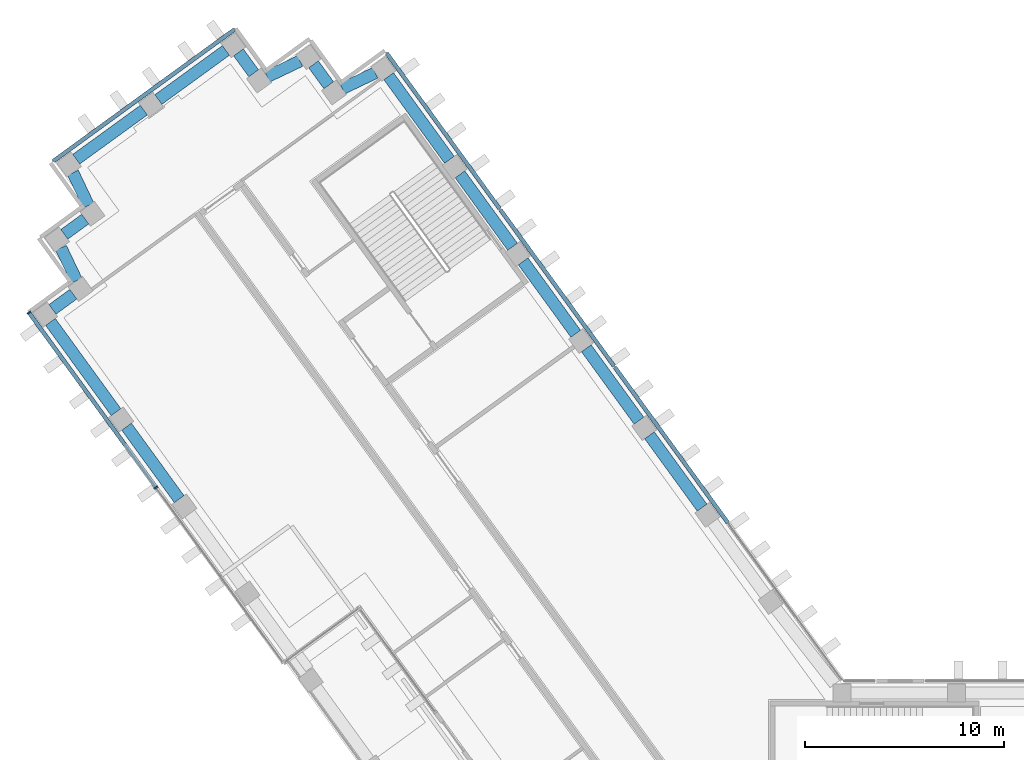
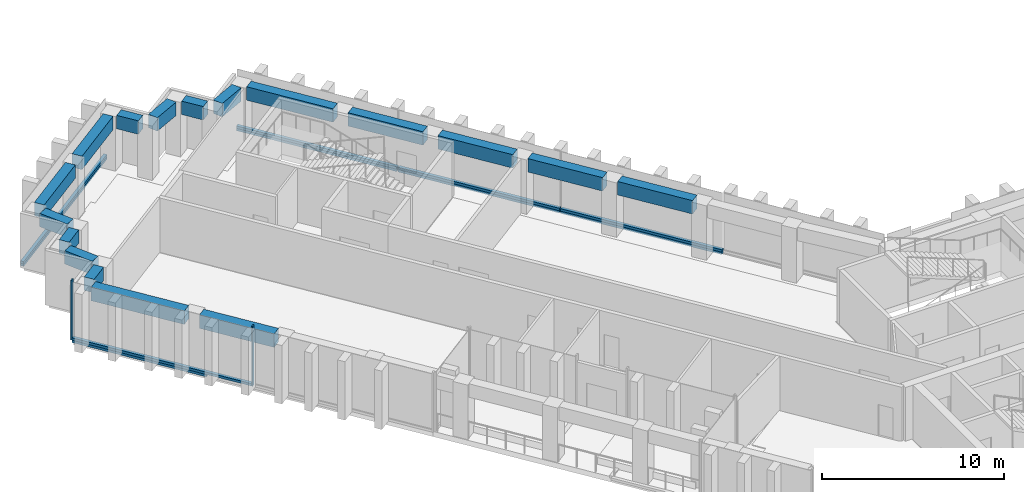
"""IFC4 building model written with IfcOpenShell, lengths in metres."""

import ifcopenshell
import ifcopenshell.guid

model = None  # the IFC model being written
_history = None  # IfcOwnerHistory: only IFC2X3 demands one
_inside = {}  # id of a spatial element -> (the spatial element, [elements in it])
_under = {}  # id of a project, library or spatial element -> (it, [spatial elements below it])
_declared = {}  # id of a project -> (the project, [libraries it declares])
_typed = {}  # id of a type object -> (the type object, [elements of that type])
_made_of = {}  # id of a material, layer set ... -> (it, [elements and type objects made of it])


def new_model(schema):
    """Start an empty IFC model of exactly this schema.

    Asked for "IFC4X3", IfcOpenShell would pick the latest addendum, in which some entities
    have other attributes; the version numbers below select the first issue.
    IFC2X3 requires an IfcOwnerHistory on every rooted entity: one is made here for all.
    """
    global model, _history
    if schema == "IFC4X3":
        model = ifcopenshell.file(schema_version=(4, 3, 0, 0))
    else:
        model = ifcopenshell.file(schema=schema)
    _inside.clear()
    _under.clear()
    _declared.clear()
    _typed.clear()
    _made_of.clear()
    _history = None
    if model.schema == "IFC2X3":
        org = make("IfcOrganization", Name="unknown")
        user = make(
            "IfcPersonAndOrganization",
            ThePerson=make("IfcPerson", FamilyName="unknown"),
            TheOrganization=org,
        )
        app = make(
            "IfcApplication",
            ApplicationDeveloper=org,
            Version="unknown",
            ApplicationFullName="unknown",
            ApplicationIdentifier="unknown",
        )
        _history = make(
            "IfcOwnerHistory",
            OwningUser=user,
            OwningApplication=app,
            ChangeAction="ADDED",
            CreationDate=0,
        )
    return model


def make(cls, **values):
    """One entity of the class cls with the attributes given. An attribute that is None is left unset."""
    return model.create_entity(
        cls, **{name: value for name, value in values.items() if value is not None}
    )


def rooted(cls, **values):
    """An entity with a GlobalId (a new one), such as an element, a storey or a relation."""
    return make(cls, GlobalId=ifcopenshell.guid.new(), OwnerHistory=_history, **values)


def si_unit(unit_type, name, prefix=None):
    """IfcSIUnit, for example si_unit("LENGTHUNIT", "METRE", prefix="MILLI")."""
    return make("IfcSIUnit", UnitType=unit_type, Prefix=prefix, Name=name)


def assignment(units):
    """IfcUnitAssignment: the units of a project."""
    return None if units is None else make("IfcUnitAssignment", Units=units)


def point(xyz):
    """IfcCartesianPoint."""
    return None if xyz is None else make("IfcCartesianPoint", Coordinates=xyz)


def direction(xyz):
    """IfcDirection."""
    return None if xyz is None else make("IfcDirection", DirectionRatios=xyz)


def frame(location, z_axis=None, x_axis=None):
    """IfcAxis2Placement3D, a coordinate frame: its origin and axes. An axis left out is left unset."""
    return make(
        "IfcAxis2Placement3D",
        Location=point(location),
        Axis=direction(z_axis),
        RefDirection=direction(x_axis),
    )


def frame_2d(location, x_axis=None):
    """IfcAxis2Placement2D, a coordinate frame in the plane: its origin and x axis."""
    return make(
        "IfcAxis2Placement2D", Location=point(location), RefDirection=direction(x_axis)
    )


def origin():
    """The frame at (0, 0, 0) with its axes left unset."""
    return frame((0.0, 0.0, 0.0))


def origin_2d():
    """The frame at (0, 0) in the plane with its x axis left unset."""
    return frame_2d((0.0, 0.0))


def place(relative_to, where):
    """IfcLocalPlacement: puts the frame where relative to a parent placement (None: the world)."""
    return make(
        "IfcLocalPlacement", PlacementRelTo=relative_to, RelativePlacement=where
    )


def context(
    kind, dimensions, precision=None, world=None, true_north=None, identifier=None
):
    """IfcGeometricRepresentationContext, for example the 3D "Model" context."""
    return make(
        "IfcGeometricRepresentationContext",
        ContextIdentifier=identifier,
        ContextType=kind,
        CoordinateSpaceDimension=dimensions,
        Precision=precision,
        WorldCoordinateSystem=world,
        TrueNorth=true_north,
    )


def subcontext(parent, identifier, kind, view, scale=None):
    """IfcGeometricRepresentationSubContext, for example "Body" below "Model"."""
    return make(
        "IfcGeometricRepresentationSubContext",
        ContextIdentifier=identifier,
        ContextType=kind,
        ParentContext=parent,
        TargetScale=scale,
        TargetView=view,
    )


def project(units=None, contexts=None):
    """IfcProject with its units and contexts."""
    return rooted(
        "IfcProject",
        Name="project",
        RepresentationContexts=contexts,
        UnitsInContext=assignment(units),
    )


def spatial(cls, under=None, at=None, **own):
    """A site, building, storey or space (cls), placed at a placement, below another one or the project."""
    s = rooted(cls, ObjectPlacement=at, **own)
    if under is not None:
        _under.setdefault(under.id(), (under, []))[1].append(s)
    return s


def profile(cls, at=None, kind="AREA", **sizes):
    """A parametric profile (cls). Its sizes go by their IFC names, for example OverallWidth=200.0."""
    return make(cls, ProfileType=kind, Position=at, **sizes)


def rectangle(**sizes):
    """IfcRectangleProfileDef."""
    return profile("IfcRectangleProfileDef", **sizes)


def extrude(swept, where, along, depth):
    """IfcExtrudedAreaSolid: the profile swept, set in the frame where, extruded along a direction by depth."""
    return make(
        "IfcExtrudedAreaSolid",
        SweptArea=swept,
        Position=where,
        ExtrudedDirection=direction(along),
        Depth=depth,
    )


def shape(context_of_items, identifier, shape_type, items):
    """IfcShapeRepresentation: the items that make up one representation, for example the "Body"."""
    return make(
        "IfcShapeRepresentation",
        ContextOfItems=context_of_items,
        RepresentationIdentifier=identifier,
        RepresentationType=shape_type,
        Items=items,
    )


def material(Name=None, Category=None):
    """IfcMaterial."""
    return make("IfcMaterial", Name=Name, Category=Category)


def material_profile(
    of_material, cross_section, Name=None, Category=None, Priority=None
):
    """IfcMaterialProfile: a cross section and its material."""
    return make(
        "IfcMaterialProfile",
        Name=Name,
        Material=of_material,
        Profile=cross_section,
        Priority=Priority,
        Category=Category,
    )


def profile_set(profiles, Name=None, composite=None):
    """IfcMaterialProfileSet."""
    return make(
        "IfcMaterialProfileSet",
        Name=Name,
        MaterialProfiles=profiles,
        CompositeProfile=composite,
    )


def made_of(thing, what):
    """Note that an element or type object is made of a material, layer set ...; save() writes the relation."""
    if what is not None:
        _made_of.setdefault(what.id(), (what, []))[1].append(thing)
    return thing


def type_object(cls, material=None, **own):
    """A type object (cls), such as IfcWallType, which elements share."""
    return made_of(rooted(cls, **own), material)


def element(
    cls,
    number,
    at=None,
    inside=None,
    cuts=None,
    type_object=None,
    material=None,
    context=None,
    identifier="Body",
    shape_type=None,
    held_by="IfcProductDefinitionShape",
    body=None,
    shapes=None,
    **own,
):
    """One element of the class cls, such as IfcWall. Its Tag is "e" and its number.

    at: its placement. inside: the storey or other place that contains it. cuts: it is an
    opening in that element (IfcRelVoidsElement). A single representation is given by context,
    identifier, shape_type and body (its items); several are given by shapes. held_by: the class
    of the entity that holds the representations. save() writes the other relations.
    """
    e = rooted(cls, Tag="e%d" % number, ObjectPlacement=at, **own)
    if body is not None:
        shapes = [shape(context, identifier, shape_type, body)]
    if shapes is not None:
        e.Representation = make(held_by, Representations=shapes)
    if inside is not None:
        _inside.setdefault(inside.id(), (inside, []))[1].append(e)
    if cuts is not None:
        rooted(
            "IfcRelVoidsElement", RelatingBuildingElement=cuts, RelatedOpeningElement=e
        )
    if type_object is not None:
        _typed.setdefault(type_object.id(), (type_object, []))[1].append(e)
    return made_of(e, material)


def aggregate(whole, parts):
    """IfcRelAggregates: a whole, such as a stair, and the parts it consists of."""
    return rooted("IfcRelAggregates", RelatingObject=whole, RelatedObjects=parts)


def save(model, path):
    """Write the relations noted so far, then the file.

    IfcRelAggregates (storeys below a building ...), IfcRelContainedInSpatialStructure (elements
    in a storey), IfcRelDefinesByType, IfcRelAssociatesMaterial and IfcRelDeclares: one each for
    every whole, place, type object, material and project.
    """
    for whole, parts in _under.values():
        aggregate(whole, parts)
    for where, things in _inside.values():
        rooted(
            "IfcRelContainedInSpatialStructure",
            RelatedElements=things,
            RelatingStructure=where,
        )
    for kind, things in _typed.values():
        rooted("IfcRelDefinesByType", RelatedObjects=things, RelatingType=kind)
    for what, things in _made_of.values():
        rooted("IfcRelAssociatesMaterial", RelatedObjects=things, RelatingMaterial=what)
    for by, libraries in _declared.values():
        rooted("IfcRelDeclares", RelatingContext=by, RelatedDefinitions=libraries)
    model.write(path)


model = new_model("IFC4")

# Units and contexts
model_context = context("Model", 3, precision=1e-05, world=origin(), true_north=direction((0.0, 1.0)))
body_context = subcontext(model_context, "Body", "Model", "MODEL_VIEW")
ifc_project = project(units=[si_unit("LENGTHUNIT", "METRE"), si_unit("AREAUNIT", "SQUARE_METRE"), si_unit("VOLUMEUNIT", "CUBIC_METRE"), si_unit("PLANEANGLEUNIT", "RADIAN"), si_unit("MASSUNIT", "GRAM", prefix="KILO")], contexts=[model_context])

# Site, building, storey
site_placement = place(None, origin())
site = spatial("IfcSite", under=ifc_project, at=site_placement, CompositionType="ELEMENT")
building_placement = place(site_placement, origin())
building = spatial("IfcBuilding", under=site, at=building_placement, Name="Quipu Civic Tower", CompositionType="ELEMENT")
storey_1_placement = place(building_placement, frame((0.0, 0.0, 55.0)))
storey_1 = spatial("IfcBuildingStorey", under=building, at=storey_1_placement, Name="L12", CompositionType="ELEMENT", Elevation=55.0)

# Curtain wall, members
ifc_material_1 = material(Name="Insulated glass unit", Category="glass")
curtain_wall_type = type_object("IfcCurtainWallType", Name="Office curtain wall CW1", PredefinedType="NOTDEFINED", material=ifc_material_1)
curtain_wall_1_placement = place(storey_1_placement, origin())
curtain_wall_1 = element("IfcCurtainWall", 1, at=curtain_wall_1_placement, inside=storey_1, type_object=curtain_wall_type, Name="Office curtain wall CW1 L12 run 1", PredefinedType="NOTDEFINED")
ifc_material_2 = material(Name="Anodised aluminium", Category="aluminium")
ifc_material_profile_1 = material_profile(ifc_material_2, rectangle(XDim=0.199951171875, YDim=0.080078125, at=origin_2d()), Name="RECT 200x80")
ifc_profile_set_1 = profile_set([ifc_material_profile_1], Name="Anodised aluminium")
member_type_1 = type_object("IfcMemberType", Name="Mullion CW1", PredefinedType="MULLION", material=ifc_profile_set_1)
member_1_placement = place(storey_1_placement, frame((-55.23046875, 29.606201171875, 0.080078125), z_axis=(0.0, 0.0, 1.0), x_axis=(0.809014099643, 0.587789236529, 0.0)))
member_1 = element("IfcMember", 2, at=member_1_placement, type_object=member_type_1, Name="CW1 mullion 1", PredefinedType="MULLION", context=body_context, shape_type="SweptSolid", body=[
    extrude(rectangle(XDim=0.199951171875, YDim=0.080078125, at=origin_2d()), origin(), (0.0, 0.0, 1.0), 4.0),
])
member_2_placement = place(storey_1_placement, frame((-48.84716796875, 20.8203125, 0.080078125), z_axis=(0.0, 0.0, 1.0), x_axis=(0.809014099643, 0.587789236529, 0.0)))
member_2 = element("IfcMember", 3, at=member_2_placement, type_object=member_type_1, Name="CW1 mullion 2", PredefinedType="MULLION", context=body_context, shape_type="SweptSolid", body=[
    extrude(rectangle(XDim=0.199951171875, YDim=0.080078125, at=origin_2d()), origin(), (0.0, 0.0, 1.0), 4.0),
])

# Beams
ifc_material_3 = material(Name="Concrete C50/60", Category="concrete")
ifc_material_profile_2 = material_profile(ifc_material_3, rectangle(XDim=0.60009765625, YDim=0.89990234375, at=origin_2d()), Name="RC600x900")
ifc_profile_set_2 = profile_set([ifc_material_profile_2], Name="Concrete C50/60")
beam_type = type_object("IfcBeamType", Name="Spandrel beam RC 600x900 C50/60", PredefinedType="SPANDREL", material=ifc_profile_set_2)
for number, where, z_axis, x_axis, name in (
    (4, (-21.411865234375, 19.807861328125, 3.199951171875), (-0.587778073121, 0.809022210299, 0.0), (-0.809022210299, -0.587778073121, 0.0), "Spandrel beam L12 W-IN-02 to W-IN-03"),
    (5, (-24.585693359375, 24.1767578125, 3.199951171875), (-0.587778073121, 0.809022210299, 0.0), (-0.809022210299, -0.587778073121, 0.0), "Spandrel beam L12 W-IN-03 to W-IN-04"),
    (6, (-27.759765625, 28.545654296875, 3.199951171875), (-0.587742561851, 0.809048009076, 0.0), (-0.809048009076, -0.587742561851, 0.0), "Spandrel beam L12 W-IN-04 to W-IN-05"),
    (7, (-30.93359375, 32.914306640625, 3.199951171875), (-0.587716763865, 0.809066749701, 0.0), (-0.809066749701, -0.587716763865, 0.0), "Spandrel beam L12 W-IN-05 to W-IN-06"),
):
    element("IfcBeam", number, at=place(storey_1_placement, frame(where, z_axis=z_axis, x_axis=x_axis)), inside=storey_1, type_object=beam_type, Name=name, PredefinedType="SPANDREL", context=body_context, shape_type="SweptSolid", body=[
        extrude(rectangle(XDim=0.60009765625, YDim=0.89990234375, at=origin_2d()), origin(), (0.0, 0.0, 1.0), 4.5),
    ])
beam_1_placement = place(storey_1_placement, frame((-34.107421875, 37.283203125, 3.199951171875), z_axis=(-0.587732861365, 0.80905505602, 0.0), x_axis=(-0.80905505602, -0.587732861365, 0.0)))
element("IfcBeam", 8, at=beam_1_placement, inside=storey_1, type_object=beam_type, Name="Spandrel beam L12 W-IN-06 to T-Wi.0-W50", PredefinedType="SPANDREL", context=body_context, shape_type="SweptSolid", body=[
    extrude(rectangle(XDim=0.60009765625, YDim=0.89990234375, at=origin_2d()), origin(), (0.0, 0.0, 1.0), 5.194580078125),
])
beam_2_placement = place(storey_1_placement, frame((-37.837890625, 41.65283203125, 3.199951171875), z_axis=(-0.90245397739, -0.430786279601, 0.0), x_axis=(0.430786279601, -0.90245397739, 0.0)))
element("IfcBeam", 9, at=beam_2_placement, inside=storey_1, type_object=beam_type, Name="Spandrel beam L12 T-Wi.0-W50 to T-Wi.1-W50", PredefinedType="SPANDREL", context=body_context, shape_type="SweptSolid", body=[
    extrude(rectangle(XDim=0.60009765625, YDim=0.89990234375, at=origin_2d()), origin(), (0.0, 0.0, 1.0), 1.83349609375),
])
beam_3_placement = place(storey_1_placement, frame((-40.170166015625, 41.02978515625, 3.199951171875), z_axis=(-0.588461937499, 0.808524921146, 0.0), x_axis=(-0.808524921146, -0.588461937499, 0.0)))
element("IfcBeam", 10, at=beam_3_placement, inside=storey_1, type_object=beam_type, Name="Spandrel beam L12 T-Wi.1-W50 to T-Wi.2-W50", PredefinedType="SPANDREL", context=body_context, shape_type="SweptSolid", body=[
    extrude(rectangle(XDim=0.60009765625, YDim=0.89990234375, at=origin_2d()), origin(), (0.0, 0.0, 1.0), 1.30029296875),
])
beam_4_placement = place(storey_1_placement, frame((-41.613037109375, 42.248046875, 3.199951171875), z_axis=(-0.902613270121, -0.430452418511, 0.0), x_axis=(0.430452418511, -0.902613270121, 0.0)))
element("IfcBeam", 11, at=beam_4_placement, inside=storey_1, type_object=beam_type, Name="Spandrel beam L12 T-Wi.2-W50 to T-Wi.3-W50", PredefinedType="SPANDREL", context=body_context, shape_type="SweptSolid", body=[
    extrude(rectangle(XDim=0.60009765625, YDim=0.89990234375, at=origin_2d()), origin(), (0.0, 0.0, 1.0), 1.826416015625),
])
beam_5_placement = place(storey_1_placement, frame((-43.939453125, 41.628662109375, 3.199951171875), z_axis=(-0.588383572423, 0.808581951136, 0.0), x_axis=(-0.808581951136, -0.588383572423, 0.0)))
element("IfcBeam", 12, at=beam_5_placement, inside=storey_1, type_object=beam_type, Name="Spandrel beam L12 T-Wi.3-W50 to T-Wi.4-W50", PredefinedType="SPANDREL", context=body_context, shape_type="SweptSolid", body=[
    extrude(rectangle(XDim=0.60009765625, YDim=0.89990234375, at=origin_2d()), origin(), (0.0, 0.0, 1.0), 1.3017578125),
])
beam_6_placement = place(storey_1_placement, frame((-45.333984375, 42.780517578125, 3.199951171875), z_axis=(-0.808969789945, -0.58785021813, 0.0), x_axis=(0.58785021813, -0.808969789945, 0.0)))
element("IfcBeam", 13, at=beam_6_placement, inside=storey_1, type_object=beam_type, Name="Spandrel beam L12 T-Wi.4-W50 to TIP-W-01-W50", PredefinedType="SPANDREL", context=body_context, shape_type="SweptSolid", body=[
    extrude(rectangle(XDim=0.60009765625, YDim=0.89990234375, at=origin_2d()), origin(), (0.0, 0.0, 1.0), 4.199951171875),
])
beam_7_placement = place(storey_1_placement, frame((-49.459716796875, 39.782470703125, 3.199951171875), z_axis=(-0.808959834407, -0.587863918196, 0.0), x_axis=(0.587863918196, -0.808959834407, 0.0)))
element("IfcBeam", 14, at=beam_7_placement, inside=storey_1, type_object=beam_type, Name="Spandrel beam L12 TIP-W-01-W50 to T-Wo.0-W50", PredefinedType="SPANDREL", context=body_context, shape_type="SweptSolid", body=[
    extrude(rectangle(XDim=0.60009765625, YDim=0.89990234375, at=origin_2d()), origin(), (0.0, 0.0, 1.0), 4.1982421875),
])
beam_8_placement = place(storey_1_placement, frame((-53.023193359375, 36.63671875, 3.199951171875), z_axis=(0.430166558323, -0.902749540072, 0.0), x_axis=(0.902749540072, 0.430166558323, 0.0)))
element("IfcBeam", 15, at=beam_8_placement, inside=storey_1, type_object=beam_type, Name="Spandrel beam L12 T-Wo.0-W50 to T-Wo.1-W50", PredefinedType="SPANDREL", context=body_context, shape_type="SweptSolid", body=[
    extrude(rectangle(XDim=0.60009765625, YDim=0.89990234375, at=origin_2d()), origin(), (0.0, 0.0, 1.0), 1.830322265625),
])
beam_9_placement = place(storey_1_placement, frame((-52.40283203125, 34.306396484375, 3.199951171875), z_axis=(-0.808509099783, -0.588483674853, 0.0), x_axis=(0.588483674853, -0.808509099783, 0.0)))
element("IfcBeam", 16, at=beam_9_placement, inside=storey_1, type_object=beam_type, Name="Spandrel beam L12 T-Wo.1-W50 to T-Wo.2-W50", PredefinedType="SPANDREL", context=body_context, shape_type="SweptSolid", body=[
    extrude(rectangle(XDim=0.60009765625, YDim=0.89990234375, at=origin_2d()), origin(), (0.0, 0.0, 1.0), 1.302734375),
])
beam_10_placement = place(storey_1_placement, frame((-53.62255859375, 32.8623046875, 3.199951171875), z_axis=(0.431446050156, -0.902138739776, 0.0), x_axis=(0.902138739776, 0.431446050156, 0.0)))
element("IfcBeam", 17, at=beam_10_placement, inside=storey_1, type_object=beam_type, Name="Spandrel beam L12 T-Wo.2-W50 to T-Wo.3-W50", PredefinedType="SPANDREL", context=body_context, shape_type="SweptSolid", body=[
    extrude(rectangle(XDim=0.60009765625, YDim=0.89990234375, at=origin_2d()), origin(), (0.0, 0.0, 1.0), 1.828857421875),
])
beam_11_placement = place(storey_1_placement, frame((-53.0, 30.53466796875, 3.199951171875), z_axis=(-0.808549242423, -0.588428519514, 0.0), x_axis=(0.588428519514, -0.808549242423, 0.0)))
element("IfcBeam", 18, at=beam_11_placement, inside=storey_1, type_object=beam_type, Name="Spandrel beam L12 T-Wo.3-W50 to T-Wo.4-W50", PredefinedType="SPANDREL", context=body_context, shape_type="SweptSolid", body=[
    extrude(rectangle(XDim=0.60009765625, YDim=0.89990234375, at=origin_2d()), origin(), (0.0, 0.0, 1.0), 1.2998046875),
])
beam_12_placement = place(storey_1_placement, frame((-54.150390625, 29.140869140625, 3.199951171875), z_axis=(0.587772657145, -0.809026145135, 0.0), x_axis=(0.809026145135, 0.587772657145, 0.0)))
element("IfcBeam", 19, at=beam_12_placement, inside=storey_1, type_object=beam_type, Name="Spandrel beam L12 T-Wo.4-W50 to W-OUT-07", PredefinedType="SPANDREL", context=body_context, shape_type="SweptSolid", body=[
    extrude(rectangle(XDim=0.60009765625, YDim=0.89990234375, at=origin_2d()), origin(), (0.0, 0.0, 1.0), 5.603271484375),
])
beam_13_placement = place(storey_1_placement, frame((-50.327880859375, 23.87939453125, 3.199951171875), z_axis=(0.587778073121, -0.809022210299, 0.0), x_axis=(0.809022210299, 0.587778073121, 0.0)))
element("IfcBeam", 20, at=beam_13_placement, inside=storey_1, type_object=beam_type, Name="Spandrel beam L12 W-OUT-07 to W-OUT-06", PredefinedType="SPANDREL", context=body_context, shape_type="SweptSolid", body=[
    extrude(rectangle(XDim=0.60009765625, YDim=0.89990234375, at=origin_2d()), origin(), (0.0, 0.0, 1.0), 4.5),
])

# Storey
storey_2_placement = place(building_placement, frame((0.0, 0.0, 47.0)))
storey_2 = spatial("IfcBuildingStorey", under=building, at=storey_2_placement, Name="L10", CompositionType="ELEMENT", Elevation=47.0)

# Curtain wall, members
curtain_wall_2_placement = place(storey_2_placement, origin())
curtain_wall_2 = element("IfcCurtainWall", 21, at=curtain_wall_2_placement, inside=storey_2, type_object=curtain_wall_type, Name="Office curtain wall CW1 L09 run 35", PredefinedType="NOTDEFINED")
ifc_material_4 = material(Name="Anodised aluminium", Category="aluminium")
ifc_material_profile_3 = material_profile(ifc_material_4, rectangle(XDim=0.199951171875, YDim=0.159912109375, at=origin_2d()), Name="RECT 200x160")
ifc_profile_set_3 = profile_set([ifc_material_profile_3], Name="Anodised aluminium")
member_type_2 = type_object("IfcMemberType", Name="Transom CW1", PredefinedType="USERDEFINED", material=ifc_profile_set_3)
member_3_placement = place(storey_1_placement, frame((-20.105224609375, 19.029296875, 0.0), z_axis=(-0.587793764301, 0.80901080997, 0.0), x_axis=(-0.80901080997, -0.587793764301, 0.0)))
member_3 = element("IfcMember", 22, at=member_3_placement, inside=storey_1, type_object=member_type_2, Name="CW1 transom 2.4", ObjectType="TRANSOM", PredefinedType="USERDEFINED", context=body_context, shape_type="SweptSolid", body=[
    extrude(rectangle(XDim=0.199951171875, YDim=0.159912109375, at=origin_2d()), origin(), (0.0, 0.0, 1.0), 9.680908203125),
])
member_4_placement = place(storey_1_placement, frame((-25.842529296875, 26.926025390625, 0.0), z_axis=(-0.58778177227, 0.809019522748, 0.0), x_axis=(-0.809019522748, -0.58778177227, 0.0)))
member_4 = element("IfcMember", 23, at=member_4_placement, inside=storey_1, type_object=member_type_2, Name="CW1 transom 3.4", ObjectType="TRANSOM", PredefinedType="USERDEFINED", context=body_context, shape_type="SweptSolid", body=[
    extrude(rectangle(XDim=0.199951171875, YDim=0.159912109375, at=origin_2d()), origin(), (0.0, 0.0, 1.0), 9.68115234375),
])
member_5_placement = place(storey_1_placement, frame((-31.580078125, 34.822998046875, 0.0), z_axis=(-0.587775627857, 0.809023986849, 0.0), x_axis=(-0.809023986849, -0.587775627857, 0.0)))
member_5 = element("IfcMember", 24, at=member_5_placement, inside=storey_1, type_object=member_type_2, Name="CW1 transom 4.4", ObjectType="TRANSOM", PredefinedType="USERDEFINED", context=body_context, shape_type="SweptSolid", body=[
    extrude(rectangle(XDim=0.199951171875, YDim=0.159912109375, at=origin_2d()), origin(), (0.0, 0.0, 1.0), 9.64111328125),
])
aggregate(curtain_wall_2, [member_3, member_4, member_5])

# Curtain wall, member
curtain_wall_3_placement = place(storey_2_placement, origin())
curtain_wall_3 = element("IfcCurtainWall", 25, at=curtain_wall_3_placement, inside=storey_2, type_object=curtain_wall_type, Name="Office curtain wall CW1 L09 run 40", PredefinedType="NOTDEFINED")
member_6_placement = place(storey_1_placement, frame((-44.9013671875, 43.8349609375, 0.0), z_axis=(-0.809032792449, -0.587763507495, 0.0), x_axis=(0.587763507495, -0.809032792449, 0.0)))
member_6 = element("IfcMember", 26, at=member_6_placement, inside=storey_1, type_object=member_type_2, Name="CW1 transom 1.4", ObjectType="TRANSOM", PredefinedType="USERDEFINED", context=body_context, shape_type="SweptSolid", body=[
    extrude(rectangle(XDim=0.199951171875, YDim=0.159912109375, at=origin_2d()), origin(), (0.0, 0.0, 1.0), 11.239990234375),
])
aggregate(curtain_wall_3, [member_6])

# Storey
storey_3_placement = place(building_placement, frame((0.0, 0.0, 51.0)))
storey_3 = spatial("IfcBuildingStorey", under=building, at=storey_3_placement, Name="L11", CompositionType="ELEMENT", Elevation=51.0)

# Curtain wall, member
curtain_wall_4_placement = place(storey_3_placement, origin())
curtain_wall_4 = element("IfcCurtainWall", 27, at=curtain_wall_4_placement, inside=storey_3, type_object=curtain_wall_type, Name="Office curtain wall CW1 L11 run 1", PredefinedType="NOTDEFINED")
member_7_placement = place(storey_1_placement, frame((-55.20703125, 29.573974609375, 0.0), z_axis=(0.587781767955, -0.809019525883, 0.0), x_axis=(0.809019525883, 0.587781767955, 0.0)))
member_7 = element("IfcMember", 28, at=member_7_placement, inside=storey_1, type_object=member_type_2, Name="CW1 transom 1.2", ObjectType="TRANSOM", PredefinedType="USERDEFINED", context=body_context, shape_type="SweptSolid", body=[
    extrude(rectangle(XDim=0.199951171875, YDim=0.159912109375, at=origin_2d()), origin(), (0.0, 0.0, 1.0), 8.080078125),
])
aggregate(curtain_wall_4, [member_7])

# Member
member_8_placement = place(storey_1_placement, frame((-55.20703125, 29.573974609375, 0.159912109375), z_axis=(0.587791890205, -0.809012171608, 0.0), x_axis=(0.809012171608, 0.587791890205, 0.0)))
member_8 = element("IfcMember", 29, at=member_8_placement, type_object=member_type_2, Name="CW1 transom 1.1", ObjectType="TRANSOM", PredefinedType="USERDEFINED", context=body_context, shape_type="SweptSolid", body=[
    extrude(rectangle(XDim=0.199951171875, YDim=0.159912109375, at=origin_2d()), origin(), (0.0, 0.0, 1.0), 10.780029296875),
])

aggregate(curtain_wall_1, [member_1, member_2, member_8])

# Storey
storey_4_placement = place(building_placement, frame((0.0, 0.0, 59.0)))
storey_4 = spatial("IfcBuildingStorey", under=building, at=storey_4_placement, Name="L13", CompositionType="ELEMENT", Elevation=59.0)

# Curtain wall, members
curtain_wall_5_placement = place(storey_4_placement, origin())
curtain_wall_5 = element("IfcCurtainWall", 30, at=curtain_wall_5_placement, inside=storey_4, type_object=curtain_wall_type, Name="Office curtain wall CW1 L12 run 10", PredefinedType="NOTDEFINED")
member_9_placement = place(storey_1_placement, frame((-20.105224609375, 19.029296875, 0.159912109375), z_axis=(-0.587793764301, 0.80901080997, 0.0), x_axis=(-0.80901080997, -0.587793764301, 0.0)))
member_9 = element("IfcMember", 31, at=member_9_placement, inside=storey_1, type_object=member_type_2, Name="CW1 transom 2.1", ObjectType="TRANSOM", PredefinedType="USERDEFINED", context=body_context, shape_type="SweptSolid", body=[
    extrude(rectangle(XDim=0.199951171875, YDim=0.159912109375, at=origin_2d()), origin(), (0.0, 0.0, 1.0), 9.680908203125),
])
member_10_placement = place(storey_1_placement, frame((-25.842529296875, 26.926025390625, 0.159912109375), z_axis=(-0.58778177227, 0.809019522748, 0.0), x_axis=(-0.809019522748, -0.58778177227, 0.0)))
member_10 = element("IfcMember", 32, at=member_10_placement, inside=storey_1, type_object=member_type_2, Name="CW1 transom 3.1", ObjectType="TRANSOM", PredefinedType="USERDEFINED", context=body_context, shape_type="SweptSolid", body=[
    extrude(rectangle(XDim=0.199951171875, YDim=0.159912109375, at=origin_2d()), origin(), (0.0, 0.0, 1.0), 9.68115234375),
])
member_11_placement = place(storey_1_placement, frame((-31.580078125, 34.822998046875, 0.159912109375), z_axis=(-0.587775627857, 0.809023986849, 0.0), x_axis=(-0.809023986849, -0.587775627857, 0.0)))
member_11 = element("IfcMember", 33, at=member_11_placement, inside=storey_1, type_object=member_type_2, Name="CW1 transom 4.1", ObjectType="TRANSOM", PredefinedType="USERDEFINED", context=body_context, shape_type="SweptSolid", body=[
    extrude(rectangle(XDim=0.199951171875, YDim=0.159912109375, at=origin_2d()), origin(), (0.0, 0.0, 1.0), 9.64111328125),
])
aggregate(curtain_wall_5, [member_9, member_10, member_11])

# Curtain wall, member
curtain_wall_6_placement = place(storey_4_placement, origin())
curtain_wall_6 = element("IfcCurtainWall", 34, at=curtain_wall_6_placement, inside=storey_4, type_object=curtain_wall_type, Name="Office curtain wall CW1 L12 run 15", PredefinedType="NOTDEFINED")
member_12_placement = place(storey_1_placement, frame((-44.9013671875, 43.8349609375, 0.159912109375), z_axis=(-0.809032792449, -0.587763507495, 0.0), x_axis=(0.587763507495, -0.809032792449, 0.0)))
member_12 = element("IfcMember", 35, at=member_12_placement, inside=storey_1, type_object=member_type_2, Name="CW1 transom 1.1", ObjectType="TRANSOM", PredefinedType="USERDEFINED", context=body_context, shape_type="SweptSolid", body=[
    extrude(rectangle(XDim=0.199951171875, YDim=0.159912109375, at=origin_2d()), origin(), (0.0, 0.0, 1.0), 11.239990234375),
])
aggregate(curtain_wall_6, [member_12])

save(model, "model.ifc")
